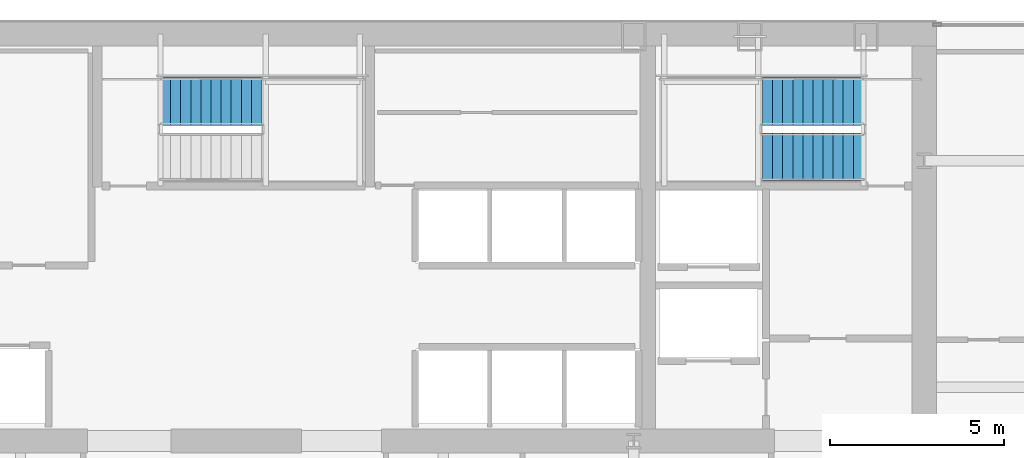
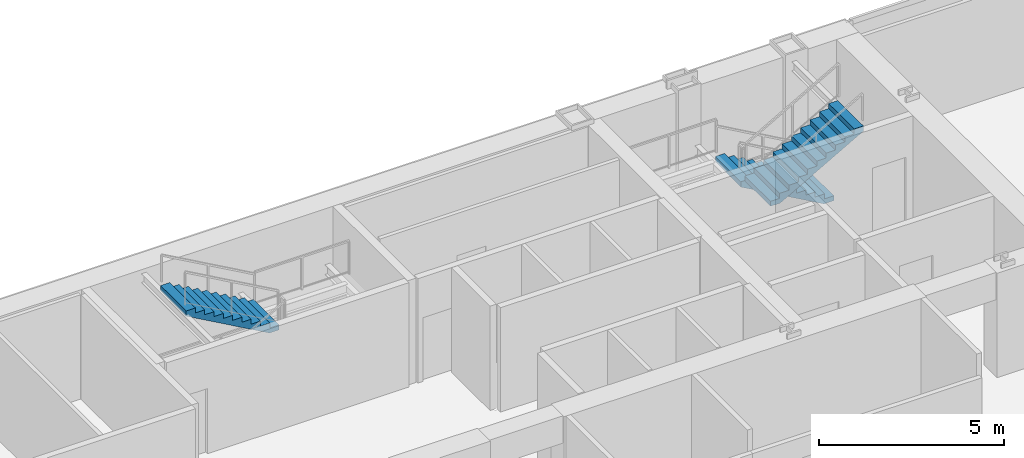
# One storey, part 31 of 33: 3 stair flights, 2 elements without a shape of their own.
"""IFC4 building model written with IfcOpenShell, lengths in metres."""

from ifc_helpers import new_model, si_unit, direction, frame, origin, place, context, subcontext, project, spatial, polyline, outline, extrude, material, type_object, element, aggregate, save


model = new_model("IFC4")

# Units and contexts
model_context = context("Model", 3, precision=1e-05, world=origin(), true_north=direction((0.0, 1.0)))
body_context = subcontext(model_context, "Body", "Model", "MODEL_VIEW")
ifc_project = project(units=[si_unit("LENGTHUNIT", "METRE"), si_unit("AREAUNIT", "SQUARE_METRE"), si_unit("VOLUMEUNIT", "CUBIC_METRE"), si_unit("PLANEANGLEUNIT", "RADIAN"), si_unit("MASSUNIT", "GRAM", prefix="KILO")], contexts=[model_context])

# Site, building, storey
site_placement = place(None, origin())
site = spatial("IfcSite", under=ifc_project, at=site_placement, CompositionType="ELEMENT")
building_placement = place(site_placement, origin())
building = spatial("IfcBuilding", under=site, at=building_placement, Name="Khoronbel Lancet Exchange", CompositionType="ELEMENT")
storey_placement = place(building_placement, frame((0.0, 0.0, 114.60009765625)))
storey = spatial("IfcBuildingStorey", under=building, at=storey_placement, Name="L27", CompositionType="ELEMENT", Elevation=114.60009765625)

# Stair, stair flights
ifc_material = material(Name="Concrete C40/50", Category="concrete")
stair_type = type_object("IfcStairType", Name="STR-CORE150", PredefinedType="HALF_TURN_STAIR", material=ifc_material)
stair_1_placement = place(storey_placement, origin())
stair_1 = element("IfcStair", 1, at=stair_1_placement, inside=storey, type_object=stair_type, Name="L27 Protected Exit Stair ST2", PredefinedType="HALF_TURN_STAIR")
stair_flight_type = type_object("IfcStairFlightType", Name="STF-150", PredefinedType="STRAIGHT", material=ifc_material)
stair_flight_1_placement = place(storey_placement, frame((54.60009765625, 51.409912109375, 0.0), z_axis=(0.0, 0.0, 1.0), x_axis=(-1.0, 0.0, 0.0)))
stair_flight_1 = element("IfcStairFlight", 2, at=stair_flight_1_placement, type_object=stair_flight_type, Name="ST2 flight 1", NumberOfRisers=11, NumberOfTreads=10, PredefinedType="STRAIGHT", RiserHeight=0.163636364, TreadLength=0.29, context=body_context, shape_type="SweptSolid", body=[
    extrude(outline(polyline([(0.0, 0.0), (0.0, 0.16357421875), (0.2900390625, 0.16357421875), (0.2900390625, 0.327392578125), (0.580078125, 0.327392578125), (0.580078125, 0.490966796875), (0.8701171875, 0.490966796875), (0.8701171875, 0.654541015625), (1.159912109375, 0.654541015625), (1.159912109375, 0.818115234375), (1.449951171875, 0.818115234375), (1.449951171875, 0.98193359375), (1.739990234375, 0.98193359375), (1.739990234375, 1.1455078125), (2.030029296875, 1.1455078125), (2.030029296875, 1.30908203125), (2.320068359375, 1.30908203125), (2.320068359375, 1.47265625), (2.610107421875, 1.47265625), (2.610107421875, 1.636474609375), (2.89990234375, 1.636474609375), (2.89990234375, 1.800048828125), (2.89990234375, 1.46435546875), (0.304931640625, 0.0), (0.0, 0.0)])), frame((0.0, 0.68994140625, 0.0), z_axis=(0.0, -1.0, 0.0), x_axis=(1.0, 0.0, 0.0)), (0.0, 0.0, 1.0), 1.3798828125),
])
stair_flight_2_placement = place(storey_placement, frame((51.699951171875, 49.81005859375, 1.7998046875), z_axis=(0.0, 0.0, 1.0), x_axis=(1.0, 0.0, 0.0)))
stair_flight_2 = element("IfcStairFlight", 3, at=stair_flight_2_placement, type_object=stair_flight_type, Name="ST2 flight 2", NumberOfRisers=11, NumberOfTreads=10, PredefinedType="STRAIGHT", RiserHeight=0.163636364, TreadLength=0.29, context=body_context, shape_type="SweptSolid", body=[
    extrude(outline(polyline([(0.0, 0.0), (0.0, 0.16357421875), (0.2900390625, 0.16357421875), (0.2900390625, 0.327392578125), (0.580078125, 0.327392578125), (0.580078125, 0.490966796875), (0.8701171875, 0.490966796875), (0.8701171875, 0.654541015625), (1.159912109375, 0.654541015625), (1.159912109375, 0.818115234375), (1.449951171875, 0.818115234375), (1.449951171875, 0.98193359375), (1.739990234375, 0.98193359375), (1.739990234375, 1.1455078125), (2.030029296875, 1.1455078125), (2.030029296875, 1.30908203125), (2.320068359375, 1.30908203125), (2.320068359375, 1.47265625), (2.610107421875, 1.47265625), (2.610107421875, 1.636474609375), (2.89990234375, 1.636474609375), (2.89990234375, 1.800048828125), (2.89990234375, 1.46435546875), (0.304931640625, 0.0), (0.0, 0.0)])), frame((0.0, 0.68994140625, 0.0), z_axis=(0.0, -1.0, 0.0), x_axis=(1.0, 0.0, 0.0)), (0.0, 0.0, 1.0), 1.3798828125),
])
aggregate(stair_1, [stair_flight_1, stair_flight_2])

# Stair, stair flight
stair_2_placement = place(storey_placement, origin())
stair_2 = element("IfcStair", 4, at=stair_2_placement, inside=storey, type_object=stair_type, Name="L27 Protected Exit Stair ST3", PredefinedType="HALF_TURN_STAIR")
stair_flight_3_placement = place(storey_placement, frame((37.300048828125, 51.409912109375, 1.7998046875), z_axis=(0.0, 0.0, 1.0), x_axis=(-1.0, 0.0, 0.0)))
stair_flight_3 = element("IfcStairFlight", 5, at=stair_flight_3_placement, type_object=stair_flight_type, Name="ST3 flight 2", NumberOfRisers=11, NumberOfTreads=10, PredefinedType="STRAIGHT", RiserHeight=0.163636364, TreadLength=0.29, context=body_context, shape_type="SweptSolid", body=[
    extrude(outline(polyline([(0.0, 0.0), (0.0, 0.16357421875), (0.2900390625, 0.16357421875), (0.2900390625, 0.327392578125), (0.580078125, 0.327392578125), (0.580078125, 0.490966796875), (0.8701171875, 0.490966796875), (0.8701171875, 0.654541015625), (1.159912109375, 0.654541015625), (1.159912109375, 0.818115234375), (1.449951171875, 0.818115234375), (1.449951171875, 0.98193359375), (1.739990234375, 0.98193359375), (1.739990234375, 1.1455078125), (2.030029296875, 1.1455078125), (2.030029296875, 1.30908203125), (2.320068359375, 1.30908203125), (2.320068359375, 1.47265625), (2.610107421875, 1.47265625), (2.610107421875, 1.636474609375), (2.89990234375, 1.636474609375), (2.89990234375, 1.800048828125), (2.89990234375, 1.46435546875), (0.304931640625, 0.0), (0.0, 0.0)])), frame((0.0, 0.68994140625, 0.0), z_axis=(0.0, -1.0, 0.0), x_axis=(1.0, 0.0, 0.0)), (0.0, 0.0, 1.0), 1.3798828125),
])
aggregate(stair_2, [stair_flight_3])

save(model, "model.ifc")
